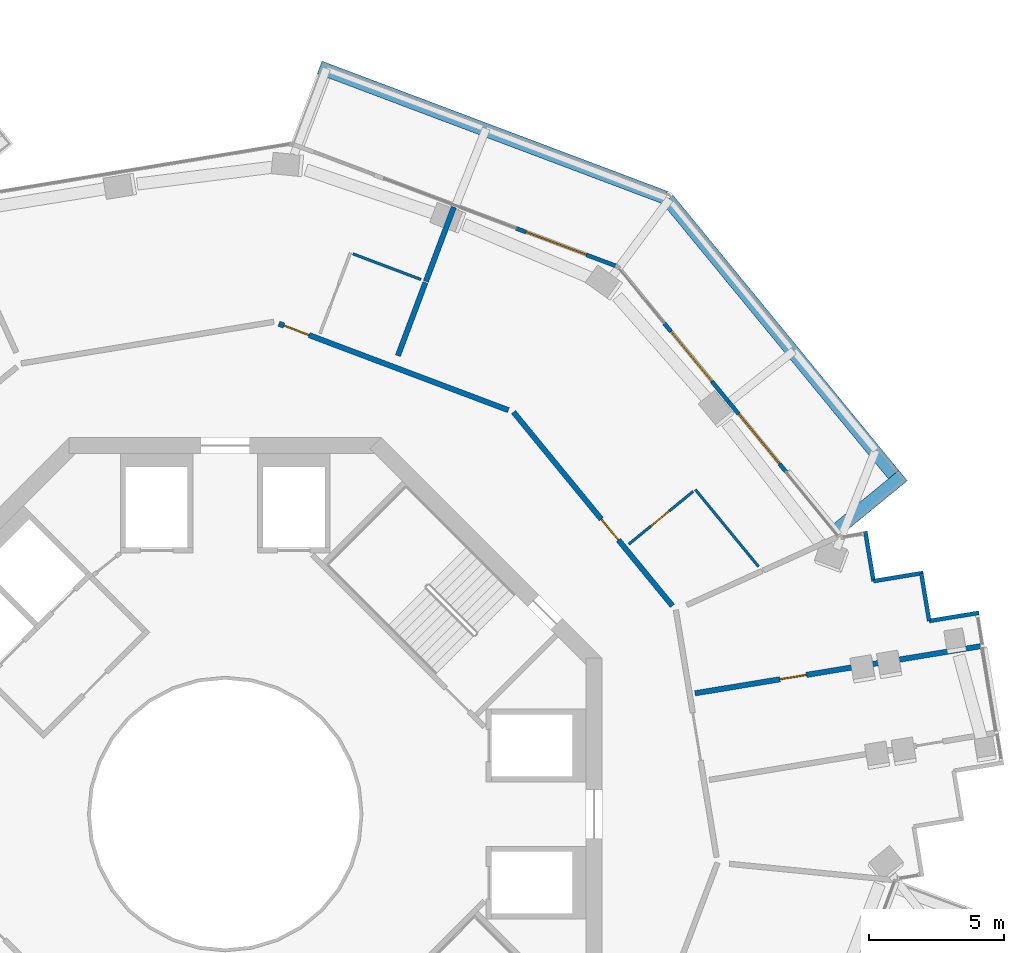
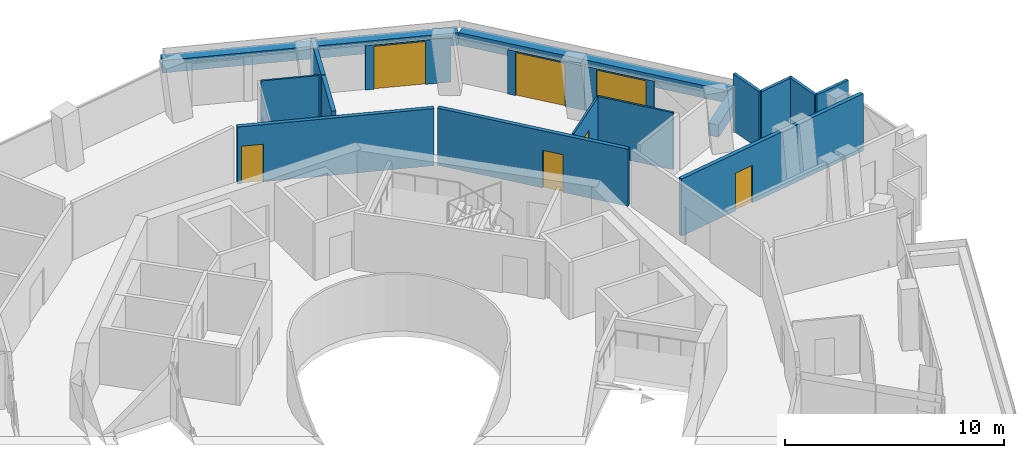
# One storey, part 18 of 21: 18 walls, 7 doors, 7 openings.
"""IFC4 building model written with IfcOpenShell, lengths in metres."""

from ifc_helpers import new_model, si_unit, direction, frame, frame_2d, origin, place, context, subcontext, project, spatial, rectangle, extrude, material, layer, layer_set, type_object, element, fill, save


model = new_model("IFC4")

# Units and contexts
model_context = context("Model", 3, precision=1e-05, world=origin(), true_north=direction((0.0, 1.0)))
body_context = subcontext(model_context, "Body", "Model", "MODEL_VIEW")
ifc_project = project(units=[si_unit("LENGTHUNIT", "METRE"), si_unit("AREAUNIT", "SQUARE_METRE"), si_unit("VOLUMEUNIT", "CUBIC_METRE"), si_unit("PLANEANGLEUNIT", "RADIAN"), si_unit("MASSUNIT", "GRAM", prefix="KILO")], contexts=[model_context])

# Site, building, storey
site_placement = place(None, origin())
site = spatial("IfcSite", under=ifc_project, at=site_placement, CompositionType="ELEMENT")
building_placement = place(site_placement, origin())
building = spatial("IfcBuilding", under=site, at=building_placement, Name="Verdalira Terraces Hotel", CompositionType="ELEMENT")
storey_placement = place(building_placement, frame((0.0, 0.0, 194.0)))
storey = spatial("IfcBuildingStorey", under=building, at=storey_placement, Name="L47", CompositionType="ELEMENT", Elevation=194.0)

# Walls
ifc_material_1 = material(Name="Concrete C40", Category="concrete")
ifc_layer_1 = layer(ifc_material_1, 0.5)
ifc_layer_set_1 = layer_set([ifc_layer_1], Name="Balcony planter trough with tree")
wall_type_1 = type_object("IfcWallType", Name="Balcony planter trough with tree", PredefinedType="SOLIDWALL", material=ifc_layer_set_1)
wall_1_placement = place(storey_placement, frame((22.720459, 10.552734, 0.0), z_axis=(0.0, 0.0, 1.0), x_axis=(0.773171239, 0.634197315, 0.0)))
element("IfcWall", 1, at=wall_1_placement, inside=storey, type_object=wall_type_1, Name="Balcony planter", PredefinedType="SOLIDWALL", context=body_context, shape_type="SweptSolid", body=[
    extrude(rectangle(XDim=3.198975, YDim=0.5, at=frame_2d((1.599609, 0.0))), origin(), (0.0, 0.0, 1.0), 0.699951),
])
wall_2_placement = place(storey_placement, frame((24.842041, 12.616211, 0.0), z_axis=(0.0, 0.0, 1.0), x_axis=(-0.634190419, 0.773176896, 0.0)))
element("IfcWall", 2, at=wall_2_placement, inside=storey, type_object=wall_type_1, Name="Balcony planter", PredefinedType="SOLIDWALL", context=body_context, shape_type="SweptSolid", body=[
    extrude(rectangle(XDim=13.223633, YDim=0.5, at=frame_2d((6.611816, 0.0))), origin(), (0.0, 0.0, 1.0), 0.699951),
])
wall_3_placement = place(storey_placement, frame((16.350586, 22.915771, 0.0), z_axis=(0.0, 0.0, 1.0), x_axis=(-0.93581421, 0.352493637, 0.0)))
element("IfcWall", 3, at=wall_3_placement, inside=storey, type_object=wall_type_1, Name="Balcony planter", PredefinedType="SOLIDWALL", context=body_context, shape_type="SweptSolid", body=[
    extrude(rectangle(XDim=13.723389, YDim=0.5, at=frame_2d((6.861816, 0.0))), origin(), (0.0, 0.0, 1.0), 0.699951),
])
ifc_material_2 = material(Name="Moisture-resistant gypsum board partition")
ifc_layer_2 = layer(ifc_material_2, 0.10009765625)
ifc_layer_set_2 = layer_set([ifc_layer_2], Name="Bathroom partition 100 mm")
wall_type_2 = type_object("IfcWallType", Name="Bathroom partition 100 mm", PredefinedType="PARTITIONING", material=ifc_layer_set_2)
wall_4_placement = place(storey_placement, frame((4.744385, 20.82251, 0.0), z_axis=(0.0, 0.0, 1.0), x_axis=(0.935819082, -0.352480702, 0.0)))
element("IfcWall", 4, at=wall_4_placement, inside=storey, type_object=wall_type_2, Name="Bathroom partition", PredefinedType="PARTITIONING", context=body_context, shape_type="SweptSolid", body=[
    extrude(rectangle(XDim=2.699951, YDim=0.100098, at=frame_2d((1.350098, 0.0))), origin(), (0.0, 0.0, 1.0), 3.189941),
])

# Wall, opening, door
wall_5_placement = place(storey_placement, frame((17.396973, 11.995605, 0.0), z_axis=(0.0, 0.0, 1.0), x_axis=(-0.77318129, -0.634185061, 0.0)))
wall_5 = element("IfcWall", 5, at=wall_5_placement, inside=storey, type_object=wall_type_2, Name="Bathroom partition", PredefinedType="PARTITIONING", context=body_context, shape_type="SweptSolid", body=[
    extrude(rectangle(XDim=3.100098, YDim=0.100098, at=frame_2d((1.550049, 0.0))), origin(), (0.0, 0.0, 1.0), 3.189941),
])
opening_1_placement = place(wall_5_placement, frame((1.149902, 0.0, 0.0)))
opening_1 = element("IfcOpeningElement", 6, at=opening_1_placement, cuts=wall_5, Name="Opening L47-122", PredefinedType="OPENING", context=body_context, shape_type="SweptSolid", body=[
    extrude(rectangle(XDim=0.899902, YDim=2.100098, at=frame_2d((0.449951, 1.050049))), frame((0.0, 0.060059, 0.0), z_axis=(0.0, -1.0, 0.0), x_axis=(1.0, 0.0, 0.0)), (0.0, 0.0, 1.0), 0.120117),
])
ifc_material_3 = material(Name="Timber door", Category="wood")
door_type_1 = type_object("IfcDoorType", Name="Bathroom door 900 x 2100", OperationType="NOTDEFINED", PredefinedType="DOOR", material=ifc_material_3)
door_1_placement = place(opening_1_placement, origin())
door_1 = element("IfcDoor", 7, at=door_1_placement, inside=storey, type_object=door_type_1, Name="Bathroom door 4709", OperationType="SINGLE_SWING_LEFT", OverallHeight=2.10009765625, OverallWidth=0.89990234375, PredefinedType="DOOR", context=body_context, shape_type="SweptSolid", body=[
    extrude(rectangle(XDim=0.899902, YDim=2.100098, at=frame_2d((0.449951, 1.050049))), frame((0.0, 0.024902, 0.0), z_axis=(0.0, -1.0, 0.0), x_axis=(1.0, 0.0, 0.0)), (0.0, 0.0, 1.0), 0.050049),
])
fill(opening_1, door_1)

# Walls
wall_6_placement = place(storey_placement, frame((17.474121, 12.058838, 0.0), z_axis=(0.0, 0.0, 1.0), x_axis=(0.63421358, -0.773157898, 0.0)))
element("IfcWall", 8, at=wall_6_placement, inside=storey, type_object=wall_type_2, Name="Bathroom partition", PredefinedType="PARTITIONING", context=body_context, shape_type="SweptSolid", body=[
    extrude(rectangle(XDim=3.704102, YDim=0.100098, at=frame_2d((1.852051, 0.0))), origin(), (0.0, 0.0, 1.0), 3.189941),
])
ifc_material_4 = material(Name="Fire-rated gypsum board wall")
ifc_layer_3 = layer(ifc_material_4, 0.199951171875)
ifc_layer_set_3 = layer_set([ifc_layer_3], Name="Demising wall 200 mm")
wall_type_3 = type_object("IfcWallType", Name="Demising wall 200 mm", PredefinedType="SOLIDWALL", material=ifc_layer_set_3)
wall_7_placement = place(storey_placement, frame((6.41748, 17.037109, 0.0), z_axis=(0.0, 0.0, 1.0), x_axis=(0.352504699, 0.935810043, 0.0)))
element("IfcWall", 9, at=wall_7_placement, inside=storey, type_object=wall_type_3, Name="Demising wall", PredefinedType="SOLIDWALL", context=body_context, shape_type="SweptSolid", body=[
    extrude(rectangle(XDim=2.904785, YDim=0.199951, at=frame_2d((1.452393, 0.0))), origin(), (0.0, 0.0, 1.0), 3.189941),
])
wall_8_placement = place(storey_placement, frame((7.45752, 19.79834, 0.0), z_axis=(0.0, 0.0, 1.0), x_axis=(0.352491676, 0.935814949, 0.0)))
element("IfcWall", 10, at=wall_8_placement, inside=storey, type_object=wall_type_3, Name="Demising wall", PredefinedType="SOLIDWALL", context=body_context, shape_type="SweptSolid", body=[
    extrude(rectangle(XDim=2.951904, YDim=0.199951, at=frame_2d((1.476074, 0.0))), origin(), (0.0, 0.0, 1.0), 3.189941),
])

# Wall, opening, door
wall_9_placement = place(storey_placement, frame((17.460693, 4.488525, 0.0), z_axis=(0.0, 0.0, 1.0), x_axis=(0.986686964, 0.162630975, 0.0)))
wall_9 = element("IfcWall", 11, at=wall_9_placement, inside=storey, type_object=wall_type_3, Name="Demising wall", PredefinedType="SOLIDWALL", context=body_context, shape_type="SweptSolid", body=[
    extrude(rectangle(XDim=10.75, YDim=0.199951, at=frame_2d((5.375, 0.0))), origin(), (0.0, 0.0, 1.0), 3.189941),
])
opening_2_placement = place(wall_9_placement, frame((3.199951, 0.0, 0.0)))
opening_2 = element("IfcOpeningElement", 12, at=opening_2_placement, cuts=wall_9, Name="Opening L47-120", PredefinedType="OPENING", context=body_context, shape_type="SweptSolid", body=[
    extrude(rectangle(XDim=1.0, YDim=2.100098, at=frame_2d((0.5, 1.050049))), frame((0.0, 0.109863, 0.0), z_axis=(0.0, -1.0, 0.0), x_axis=(1.0, 0.0, 0.0)), (0.0, 0.0, 1.0), 0.219971),
])
ifc_material_5 = material(Name="Timber fire door", Category="wood")
door_type_2 = type_object("IfcDoorType", Name="Public room door 1000 x 2100", OperationType="NOTDEFINED", PredefinedType="DOOR", material=ifc_material_5)
door_2_placement = place(opening_2_placement, origin())
door_2 = element("IfcDoor", 13, at=door_2_placement, inside=storey, type_object=door_type_2, Name="Public room door 4708", OperationType="SINGLE_SWING_LEFT", OverallHeight=2.10009765625, OverallWidth=1.0, PredefinedType="DOOR", context=body_context, shape_type="SweptSolid", body=[
    extrude(rectangle(XDim=1.0, YDim=2.100098, at=frame_2d((0.5, 1.050049))), frame((0.0, 0.024902, 0.0), z_axis=(0.0, -1.0, 0.0), x_axis=(1.0, 0.0, 0.0)), (0.0, 0.0, 1.0), 0.050049),
])
fill(opening_2, door_2)

ifc_material_6 = material(Name="Fire-rated gypsum board wall")
ifc_layer_4 = layer(ifc_material_6, 0.199951171875)
ifc_layer_set_4 = layer_set([ifc_layer_4], Name="Guest corridor wall 200 mm")
wall_type_4 = type_object("IfcWallType", Name="Guest corridor wall 200 mm", PredefinedType="SOLIDWALL", material=ifc_layer_set_4)
wall_10_placement = place(storey_placement, frame((1.994385, 18.225098, 0.0), z_axis=(0.0, 0.0, 1.0), x_axis=(0.935816375, -0.352487889, 0.0)))
wall_10 = element("IfcWall", 14, at=wall_10_placement, inside=storey, type_object=wall_type_4, Name="Guest corridor wall", PredefinedType="SOLIDWALL", context=body_context, shape_type="SweptSolid", body=[
    extrude(rectangle(XDim=9.115479, YDim=0.199951, at=frame_2d((4.557617, 0.0))), origin(), (0.0, 0.0, 1.0), 3.189941),
])
opening_3_placement = place(wall_10_placement, frame((0.199951, 0.0, 0.0)))
opening_3 = element("IfcOpeningElement", 15, at=opening_3_placement, cuts=wall_10, Name="Opening L47-123", PredefinedType="OPENING", context=body_context, shape_type="SweptSolid", body=[
    extrude(rectangle(XDim=1.0, YDim=2.100098, at=frame_2d((0.5, 1.050049))), frame((0.0, 0.109863, 0.0), z_axis=(0.0, -1.0, 0.0), x_axis=(1.0, 0.0, 0.0)), (0.0, 0.0, 1.0), 0.219971),
])
ifc_material_7 = material(Name="Timber fire door", Category="wood")
door_type_3 = type_object("IfcDoorType", Name="Guest entry door 1000 x 2100", OperationType="NOTDEFINED", PredefinedType="DOOR", material=ifc_material_7)
door_3_placement = place(opening_3_placement, origin())
door_3 = element("IfcDoor", 16, at=door_3_placement, inside=storey, type_object=door_type_3, Name="Guest entry door 4710", OperationType="SINGLE_SWING_LEFT", OverallHeight=2.10009765625, OverallWidth=1.0, PredefinedType="DOOR", context=body_context, shape_type="SweptSolid", body=[
    extrude(rectangle(XDim=1.0, YDim=2.100098, at=frame_2d((0.5, 1.050049))), frame((0.0, 0.024902, 0.0), z_axis=(0.0, -1.0, 0.0), x_axis=(1.0, 0.0, 0.0)), (0.0, 0.0, 1.0), 0.050049),
])
fill(opening_3, door_3)

wall_11_placement = place(storey_placement, frame((10.712891, 14.940918, 0.0), z_axis=(0.0, 0.0, 1.0), x_axis=(0.634184883, -0.773181437, 0.0)))
wall_11 = element("IfcWall", 17, at=wall_11_placement, inside=storey, type_object=wall_type_4, Name="Guest corridor wall", PredefinedType="SOLIDWALL", context=body_context, shape_type="SweptSolid", body=[
    extrude(rectangle(XDim=9.316162, YDim=0.199951, at=frame_2d((4.658203, 0.0))), origin(), (0.0, 0.0, 1.0), 3.189941),
])
opening_4_placement = place(wall_11_placement, frame((5.149902, 0.0, 0.0)))
opening_4 = element("IfcOpeningElement", 18, at=opening_4_placement, cuts=wall_11, Name="Opening L47-121", PredefinedType="OPENING", context=body_context, shape_type="SweptSolid", body=[
    extrude(rectangle(XDim=1.0, YDim=2.100098, at=frame_2d((0.5, 1.050049))), frame((0.0, 0.109863, 0.0), z_axis=(0.0, -1.0, 0.0), x_axis=(1.0, 0.0, 0.0)), (0.0, 0.0, 1.0), 0.219971),
])
door_4_placement = place(opening_4_placement, origin())
door_4 = element("IfcDoor", 19, at=door_4_placement, inside=storey, type_object=door_type_3, Name="Guest entry door 4709", OperationType="SINGLE_SWING_LEFT", OverallHeight=2.10009765625, OverallWidth=1.0, PredefinedType="DOOR", context=body_context, shape_type="SweptSolid", body=[
    extrude(rectangle(XDim=1.0, YDim=2.100098, at=frame_2d((0.5, 1.050049))), frame((0.0, 0.024902, 0.0), z_axis=(0.0, -1.0, 0.0), x_axis=(1.0, 0.0, 0.0)), (0.0, 0.0, 1.0), 0.050049),
])
fill(opening_4, door_4)

# Walls
ifc_material_8 = material(Name="Terracotta cladding", Category="masonry")
ifc_layer_5 = layer(ifc_material_8, 0.14990234375)
ifc_layer_set_5 = layer_set([ifc_layer_5], Name="Terracotta clad wall 150")
wall_type_5 = type_object("IfcWallType", Name="Terracotta clad wall 150", PredefinedType="SOLIDWALL", material=ifc_layer_set_5)
wall_12_placement = place(storey_placement, frame((28.014648, 7.480713, 0.0), z_axis=(0.0, 0.0, 1.0), x_axis=(-0.986687928, -0.162625128, 0.0)))
element("IfcWall", 20, at=wall_12_placement, inside=storey, type_object=wall_type_5, Name="Terracotta cladding wall", PredefinedType="SOLIDWALL", context=body_context, shape_type="SweptSolid", body=[
    extrude(rectangle(XDim=1.875, YDim=0.149902, at=frame_2d((0.9375, 0.0))), origin(), (0.0, 0.0, 1.0), 3.189941),
])
wall_13_placement = place(storey_placement, frame((26.164551, 7.175781, 0.0), z_axis=(0.0, 0.0, 1.0), x_axis=(-0.162617235, 0.986689229, 0.0)))
element("IfcWall", 21, at=wall_13_placement, inside=storey, type_object=wall_type_5, Name="Terracotta cladding wall", PredefinedType="SOLIDWALL", context=body_context, shape_type="SweptSolid", body=[
    extrude(rectangle(XDim=1.800049, YDim=0.149902, at=frame_2d((0.899902, 0.0))), origin(), (0.0, 0.0, 1.0), 3.189941),
])
wall_14_placement = place(storey_placement, frame((25.945801, 8.964111, 0.0), z_axis=(0.0, 0.0, 1.0), x_axis=(-0.986684484, -0.162646024, 0.0)))
element("IfcWall", 22, at=wall_14_placement, inside=storey, type_object=wall_type_5, Name="Terracotta cladding wall", PredefinedType="SOLIDWALL", context=body_context, shape_type="SweptSolid", body=[
    extrude(rectangle(XDim=1.874756, YDim=0.149902, at=frame_2d((0.9375, 0.0))), origin(), (0.0, 0.0, 1.0), 3.189941),
])
wall_15_placement = place(storey_placement, frame((24.095947, 8.65918, 0.0), z_axis=(0.0, 0.0, 1.0), x_axis=(-0.162625128, 0.986687928, 0.0)))
element("IfcWall", 23, at=wall_15_placement, inside=storey, type_object=wall_type_5, Name="Terracotta cladding wall", PredefinedType="SOLIDWALL", context=body_context, shape_type="SweptSolid", body=[
    extrude(rectangle(XDim=1.875, YDim=0.149902, at=frame_2d((0.9375, 0.0))), origin(), (0.0, 0.0, 1.0), 3.189941),
])

# Wall, opening, door
ifc_material_9 = material(Name="Terracotta cladding", Category="masonry")
ifc_layer_6 = layer(ifc_material_9, 0.14990234375)
ifc_layer_set_6 = layer_set([ifc_layer_6], Name="Terracotta door pier 150")
wall_type_6 = type_object("IfcWallType", Name="Terracotta door pier 150", PredefinedType="SOLIDWALL", material=ifc_layer_set_6)
wall_16_placement = place(storey_placement, frame((20.854248, 12.708008, 0.0), z_axis=(0.0, 0.0, 1.0), x_axis=(-0.634175757, 0.773188922, 0.0)))
wall_16 = element("IfcWall", 24, at=wall_16_placement, inside=storey, type_object=wall_type_6, Name="Terracotta door pier", PredefinedType="SOLIDWALL", context=body_context, shape_type="SweptSolid", body=[
    extrude(rectangle(XDim=3.400146, YDim=0.149902, at=frame_2d((1.700195, 0.0))), origin(), (0.0, 0.0, 1.0), 2.475098),
])
opening_5_placement = place(wall_16_placement, frame((0.399902, 0.0, 0.0)))
opening_5 = element("IfcOpeningElement", 25, at=opening_5_placement, cuts=wall_16, Name="Opening L47-B11", PredefinedType="OPENING", context=body_context, shape_type="SweptSolid", body=[
    extrude(rectangle(XDim=2.399902, YDim=2.399902, at=frame_2d((1.199951, 1.199951))), frame((0.0, 0.084961, 0.0), z_axis=(0.0, -1.0, 0.0), x_axis=(1.0, 0.0, 0.0)), (0.0, 0.0, 1.0), 0.169922),
])
ifc_material_10 = material(Name="Clear glass", Category="glass")
door_type_4 = type_object("IfcDoorType", Name="Balcony sliding door 2400x2400", OperationType="NOTDEFINED", PredefinedType="DOOR", material=ifc_material_10)
door_5_placement = place(opening_5_placement, origin())
door_5 = element("IfcDoor", 26, at=door_5_placement, inside=storey, type_object=door_type_4, Name="Balcony sliding door", OperationType="SLIDING_TO_RIGHT", OverallHeight=2.39990234375, OverallWidth=2.39990234375, PredefinedType="DOOR", context=body_context, shape_type="SweptSolid", body=[
    extrude(rectangle(XDim=2.399902, YDim=2.399902, at=frame_2d((1.199951, 1.199951))), frame((0.0, 0.024902, 0.0), z_axis=(0.0, -1.0, 0.0), x_axis=(1.0, 0.0, 0.0)), (0.0, 0.0, 1.0), 0.050049),
])
fill(opening_5, door_5)

wall_17_placement = place(storey_placement, frame((18.697998, 15.336914, 0.0), z_axis=(0.0, 0.0, 1.0), x_axis=(-0.634234049, 0.773141107, 0.0)))
wall_17 = element("IfcWall", 27, at=wall_17_placement, inside=storey, type_object=wall_type_6, Name="Terracotta door pier", PredefinedType="SOLIDWALL", context=body_context, shape_type="SweptSolid", body=[
    extrude(rectangle(XDim=3.76123, YDim=0.149902, at=frame_2d((1.880615, 0.0))), origin(), (0.0, 0.0, 1.0), 2.475098),
])
opening_6_placement = place(wall_17_placement, frame((0.961182, 0.0, 0.0)))
opening_6 = element("IfcOpeningElement", 28, at=opening_6_placement, cuts=wall_17, Name="Opening L47-B12", PredefinedType="OPENING", context=body_context, shape_type="SweptSolid", body=[
    extrude(rectangle(XDim=2.399902, YDim=2.399902, at=frame_2d((1.199951, 1.199951))), frame((0.0, 0.084961, 0.0), z_axis=(0.0, -1.0, 0.0), x_axis=(1.0, 0.0, 0.0)), (0.0, 0.0, 1.0), 0.169922),
])
door_6_placement = place(opening_6_placement, origin())
door_6 = element("IfcDoor", 29, at=door_6_placement, inside=storey, type_object=door_type_4, Name="Balcony sliding door", OperationType="SLIDING_TO_LEFT", OverallHeight=2.39990234375, OverallWidth=2.39990234375, PredefinedType="DOOR", context=body_context, shape_type="SweptSolid", body=[
    extrude(rectangle(XDim=2.399902, YDim=2.399902, at=frame_2d((1.199951, 1.199951))), frame((0.0, 0.024902, 0.0), z_axis=(0.0, -1.0, 0.0), x_axis=(1.0, 0.0, 0.0)), (0.0, 0.0, 1.0), 0.050049),
])
fill(opening_6, door_6)

wall_18_placement = place(storey_placement, frame((14.513428, 20.375244, 0.0), z_axis=(0.0, 0.0, 1.0), x_axis=(-0.935807148, 0.352512386, 0.0)))
wall_18 = element("IfcWall", 30, at=wall_18_placement, inside=storey, type_object=wall_type_6, Name="Terracotta door pier", PredefinedType="SOLIDWALL", context=body_context, shape_type="SweptSolid", body=[
    extrude(rectangle(XDim=3.967041, YDim=0.149902, at=frame_2d((1.983398, 0.0))), origin(), (0.0, 0.0, 1.0), 2.475098),
])
opening_7_placement = place(wall_18_placement, frame((1.167236, 0.0, 0.0)))
opening_7 = element("IfcOpeningElement", 31, at=opening_7_placement, cuts=wall_18, Name="Opening L47-B13", PredefinedType="OPENING", context=body_context, shape_type="SweptSolid", body=[
    extrude(rectangle(XDim=2.399902, YDim=2.399902, at=frame_2d((1.199951, 1.199951))), frame((0.0, 0.084961, 0.0), z_axis=(0.0, -1.0, 0.0), x_axis=(1.0, 0.0, 0.0)), (0.0, 0.0, 1.0), 0.169922),
])
door_7_placement = place(opening_7_placement, origin())
door_7 = element("IfcDoor", 32, at=door_7_placement, inside=storey, type_object=door_type_4, Name="Balcony sliding door", OperationType="SLIDING_TO_LEFT", OverallHeight=2.39990234375, OverallWidth=2.39990234375, PredefinedType="DOOR", context=body_context, shape_type="SweptSolid", body=[
    extrude(rectangle(XDim=2.399902, YDim=2.399902, at=frame_2d((1.199951, 1.199951))), frame((0.0, 0.024902, 0.0), z_axis=(0.0, -1.0, 0.0), x_axis=(1.0, 0.0, 0.0)), (0.0, 0.0, 1.0), 0.050049),
])
fill(opening_7, door_7)

save(model, "model.ifc")
